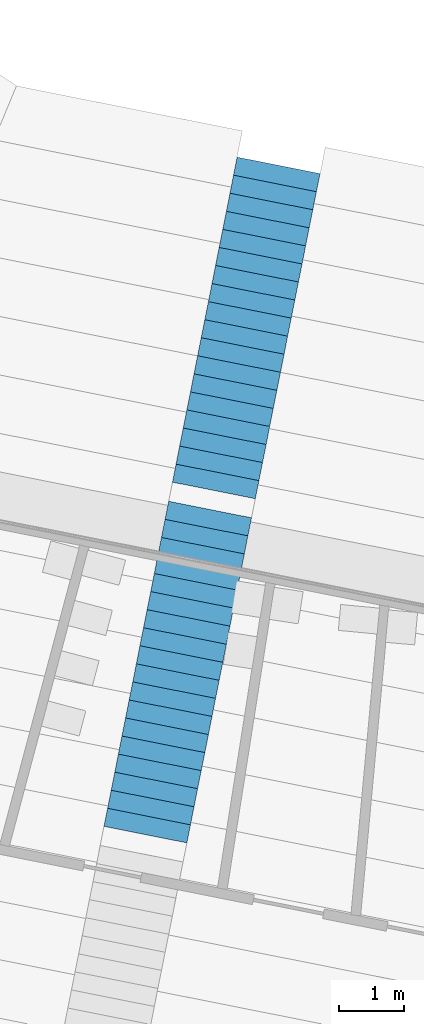
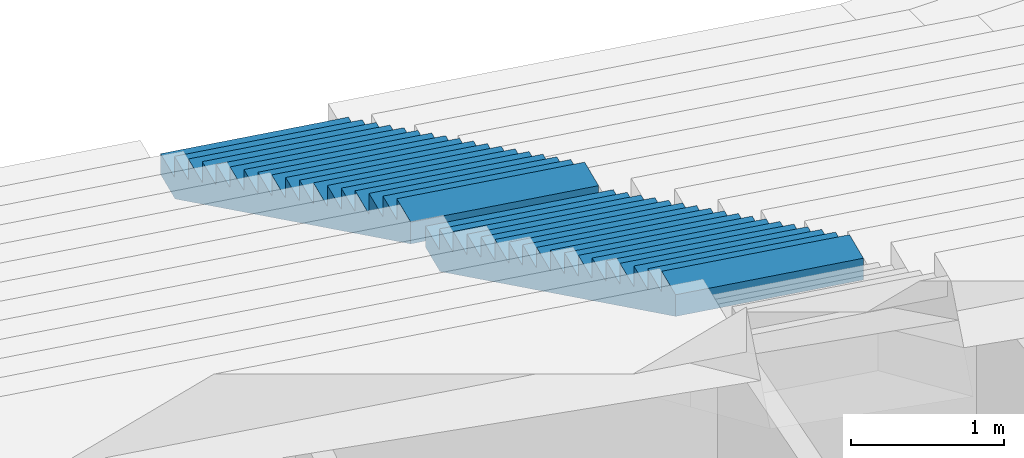
# One storey, part 136 of 249: 2 stair flights, 1 element without a shape of its own.
"""IFC4 building model written with IfcOpenShell, lengths in metres."""

from ifc_helpers import new_model, si_unit, direction, frame, origin, place, context, subcontext, project, spatial, faceted_brep, material, type_object, element, aggregate, save


model = new_model("IFC4")

# Units and contexts
model_context = context("Model", 3, precision=1e-05, world=origin(), true_north=direction((0.0, 1.0)))
body_context = subcontext(model_context, "Body", "Model", "MODEL_VIEW")
ifc_project = project(units=[si_unit("LENGTHUNIT", "METRE"), si_unit("AREAUNIT", "SQUARE_METRE"), si_unit("VOLUMEUNIT", "CUBIC_METRE"), si_unit("PLANEANGLEUNIT", "RADIAN"), si_unit("MASSUNIT", "GRAM", prefix="KILO")], contexts=[model_context])

# Site, building, storey
site_placement = place(None, origin())
site = spatial("IfcSite", under=ifc_project, at=site_placement, CompositionType="ELEMENT")
building_placement = place(site_placement, origin())
building = spatial("IfcBuilding", under=site, at=building_placement, Name="Ogive Plaza Stadium", CompositionType="ELEMENT")
storey_placement = place(building_placement, frame((0.0, 0.0, 13.5)))
storey = spatial("IfcBuildingStorey", under=building, at=storey_placement, Name="L03", CompositionType="ELEMENT", Elevation=13.5)

# Stair, stair flights
ifc_material_1 = material(Name="Concrete C40/50", Category="concrete")
stair_type = type_object("IfcStairType", Name="Aisle stair", PredefinedType="STRAIGHT_RUN_STAIR", material=ifc_material_1)
stair_placement = place(storey_placement, origin())
stair = element("IfcStair", 1, at=stair_placement, inside=storey, type_object=stair_type, Name="Aisle stair SA17U", PredefinedType="STRAIGHT_RUN_STAIR")
ifc_material_2 = material(Name="Concrete C40/50", Category="concrete")
stair_flight_type = type_object("IfcStairFlightType", Name="Aisle stair flight", PredefinedType="STRAIGHT", material=ifc_material_2)
stair_flight_1_placement = place(storey_placement, frame((-38.1943359375, -73.5869140625, 0.5), z_axis=(0.0, 0.0, 1.0), x_axis=(-0.195090322016, -0.980785280403, 0.0)))
stair_flight_1 = element("IfcStairFlight", 2, at=stair_flight_1_placement, type_object=stair_flight_type, Name="SA17U flight 1", NumberOfRisers=18, NumberOfTreads=17, PredefinedType="STRAIGHT", RiserHeight=0.166666667, TreadLength=0.283333333, context=body_context, shape_type="Brep", body=[
    faceted_brep([(0.295654296875, -0.64990234375, 0.0), (5.10009765625, -0.64990234375, 2.826171875), (5.10009765625, -0.64990234375, 3.0), (4.816650390625, -0.64990234375, 3.0), (4.816650390625, -0.64990234375, 2.833251953125), (4.533447265625, -0.64990234375, 2.833251953125), (4.533447265625, -0.64990234375, 2.666748046875), (4.25, -0.64990234375, 2.666748046875), (4.25, -0.64990234375, 2.5), (3.966552734375, -0.64990234375, 2.5), (3.966552734375, -0.64990234375, 2.333251953125), (3.683349609375, -0.64990234375, 2.333251953125), (3.683349609375, -0.64990234375, 2.166748046875), (3.39990234375, -0.64990234375, 2.166748046875), (3.39990234375, -0.64990234375, 2.0), (3.11669921875, -0.64990234375, 2.0), (3.11669921875, -0.64990234375, 1.833251953125), (2.833251953125, -0.64990234375, 1.833251953125), (2.833251953125, -0.64990234375, 1.666748046875), (2.550048828125, -0.64990234375, 1.666748046875), (2.550048828125, -0.64990234375, 1.5), (2.2666015625, -0.64990234375, 1.5), (2.2666015625, -0.64990234375, 1.333251953125), (1.9833984375, -0.64990234375, 1.333251953125), (1.9833984375, -0.64990234375, 1.166748046875), (1.699951171875, -0.64990234375, 1.166748046875), (1.699951171875, -0.64990234375, 1.0), (1.416748046875, -0.64990234375, 1.0), (1.416748046875, -0.64990234375, 0.833251953125), (1.13330078125, -0.64990234375, 0.833251953125), (1.13330078125, -0.64990234375, 0.666748046875), (0.85009765625, -0.64990234375, 0.666748046875), (0.85009765625, -0.64990234375, 0.5), (0.566650390625, -0.64990234375, 0.5), (0.566650390625, -0.64990234375, 0.333251953125), (0.283447265625, -0.64990234375, 0.333251953125), (0.283447265625, -0.64990234375, 0.166748046875), (0.0, -0.64990234375, 0.166748046875), (0.0, -0.64990234375, 0.0), (0.0, 0.64990234375, 0.0), (0.0, 0.64990234375, 0.166748046875), (0.283447265625, 0.64990234375, 0.166748046875), (0.283447265625, 0.64990234375, 0.333251953125), (0.566650390625, 0.64990234375, 0.333251953125), (0.566650390625, 0.64990234375, 0.5), (0.85009765625, 0.64990234375, 0.5), (0.85009765625, 0.64990234375, 0.666748046875), (1.13330078125, 0.64990234375, 0.666748046875), (1.13330078125, 0.64990234375, 0.833251953125), (1.416748046875, 0.64990234375, 0.833251953125), (1.416748046875, 0.64990234375, 1.0), (1.699951171875, 0.64990234375, 1.0), (1.699951171875, 0.64990234375, 1.166748046875), (1.9833984375, 0.64990234375, 1.166748046875), (1.9833984375, 0.64990234375, 1.333251953125), (2.2666015625, 0.64990234375, 1.333251953125), (2.2666015625, 0.64990234375, 1.5), (2.550048828125, 0.64990234375, 1.5), (2.550048828125, 0.64990234375, 1.666748046875), (2.833251953125, 0.64990234375, 1.666748046875), (2.833251953125, 0.64990234375, 1.833251953125), (3.11669921875, 0.64990234375, 1.833251953125), (3.11669921875, 0.64990234375, 2.0), (3.39990234375, 0.64990234375, 2.0), (3.39990234375, 0.64990234375, 2.166748046875), (3.683349609375, 0.64990234375, 2.166748046875), (3.683349609375, 0.64990234375, 2.333251953125), (3.966552734375, 0.64990234375, 2.333251953125), (3.966552734375, 0.64990234375, 2.5), (4.25, 0.64990234375, 2.5), (4.25, 0.64990234375, 2.666748046875), (4.533447265625, 0.64990234375, 2.666748046875), (4.533447265625, 0.64990234375, 2.833251953125), (4.816650390625, 0.64990234375, 2.833251953125), (4.816650390625, 0.64990234375, 3.0), (5.10009765625, 0.64990234375, 3.0), (5.10009765625, 0.64990234375, 2.826171875), (0.295654296875, 0.64990234375, 0.0), (0.295654296875, -0.324951171875, 0.0), (5.10009765625, -0.324951171875, 2.826171875), (0.295654296875, 0.0, 0.0), (5.10009765625, 0.0, 2.826171875), (0.295654296875, 0.324951171875, 0.0), (5.10009765625, 0.324951171875, 2.826171875), (5.10009765625, -0.324951171875, 3.0), (5.10009765625, 0.0, 3.0), (5.10009765625, 0.324951171875, 3.0), (4.816650390625, -0.324951171875, 3.0), (4.816650390625, 0.0, 3.0), (4.816650390625, 0.324951171875, 3.0), (4.816650390625, -0.324951171875, 2.833251953125), (4.816650390625, 0.0, 2.833251953125), (4.816650390625, 0.324951171875, 2.833251953125), (4.533447265625, -0.324951171875, 2.833251953125), (4.533447265625, 0.0, 2.833251953125), (4.533447265625, 0.324951171875, 2.833251953125), (4.533447265625, -0.324951171875, 2.666748046875), (4.533447265625, 0.0, 2.666748046875), (4.533447265625, 0.324951171875, 2.666748046875), (4.25, -0.324951171875, 2.666748046875), (4.25, 0.0, 2.666748046875), (4.25, 0.324951171875, 2.666748046875), (4.25, -0.324951171875, 2.5), (4.25, 0.0, 2.5), (4.25, 0.324951171875, 2.5), (3.966552734375, -0.324951171875, 2.5), (3.966552734375, 0.0, 2.5), (3.966552734375, 0.324951171875, 2.5), (3.966552734375, -0.324951171875, 2.333251953125), (3.966552734375, 0.0, 2.333251953125), (3.966552734375, 0.324951171875, 2.333251953125), (3.683349609375, -0.324951171875, 2.333251953125), (3.683349609375, 0.0, 2.333251953125), (3.683349609375, 0.324951171875, 2.333251953125), (3.683349609375, -0.324951171875, 2.166748046875), (3.683349609375, 0.0, 2.166748046875), (3.683349609375, 0.324951171875, 2.166748046875), (3.39990234375, -0.324951171875, 2.166748046875), (3.39990234375, 0.0, 2.166748046875), (3.39990234375, 0.324951171875, 2.166748046875), (3.39990234375, -0.324951171875, 2.0), (3.39990234375, 0.0, 2.0), (3.39990234375, 0.324951171875, 2.0), (3.11669921875, -0.324951171875, 2.0), (3.11669921875, 0.0, 2.0), (3.11669921875, 0.324951171875, 2.0), (3.11669921875, -0.324951171875, 1.833251953125), (3.11669921875, 0.0, 1.833251953125), (3.11669921875, 0.324951171875, 1.833251953125), (2.833251953125, -0.324951171875, 1.833251953125), (2.833251953125, 0.0, 1.833251953125), (2.833251953125, 0.324951171875, 1.833251953125), (2.833251953125, -0.324951171875, 1.666748046875), (2.833251953125, 0.0, 1.666748046875), (2.833251953125, 0.324951171875, 1.666748046875), (2.550048828125, -0.324951171875, 1.666748046875), (2.550048828125, 0.0, 1.666748046875), (2.550048828125, 0.324951171875, 1.666748046875), (2.550048828125, -0.324951171875, 1.5), (2.550048828125, 0.0, 1.5), (2.550048828125, 0.324951171875, 1.5), (2.2666015625, -0.324951171875, 1.5), (2.2666015625, 0.0, 1.5), (2.2666015625, 0.324951171875, 1.5), (2.2666015625, -0.324951171875, 1.333251953125), (2.2666015625, 0.0, 1.333251953125), (2.2666015625, 0.324951171875, 1.333251953125), (1.9833984375, -0.324951171875, 1.333251953125), (1.9833984375, 0.0, 1.333251953125), (1.9833984375, 0.324951171875, 1.333251953125), (1.9833984375, -0.324951171875, 1.166748046875), (1.9833984375, 0.0, 1.166748046875), (1.9833984375, 0.324951171875, 1.166748046875), (1.699951171875, -0.324951171875, 1.166748046875), (1.699951171875, 0.0, 1.166748046875), (1.699951171875, 0.324951171875, 1.166748046875), (1.699951171875, -0.324951171875, 1.0), (1.699951171875, 0.0, 1.0), (1.699951171875, 0.324951171875, 1.0), (1.416748046875, -0.324951171875, 1.0), (1.416748046875, 0.0, 1.0), (1.416748046875, 0.324951171875, 1.0), (1.416748046875, -0.324951171875, 0.833251953125), (1.416748046875, 0.0, 0.833251953125), (1.416748046875, 0.324951171875, 0.833251953125), (1.13330078125, -0.324951171875, 0.833251953125), (1.13330078125, 0.0, 0.833251953125), (1.13330078125, 0.324951171875, 0.833251953125), (1.13330078125, -0.324951171875, 0.666748046875), (1.13330078125, 0.0, 0.666748046875), (1.13330078125, 0.324951171875, 0.666748046875), (0.85009765625, -0.324951171875, 0.666748046875), (0.85009765625, 0.0, 0.666748046875), (0.85009765625, 0.324951171875, 0.666748046875), (0.85009765625, -0.324951171875, 0.5), (0.85009765625, 0.0, 0.5), (0.85009765625, 0.324951171875, 0.5), (0.566650390625, -0.324951171875, 0.5), (0.566650390625, 0.0, 0.5), (0.566650390625, 0.324951171875, 0.5), (0.566650390625, -0.324951171875, 0.333251953125), (0.566650390625, 0.0, 0.333251953125), (0.566650390625, 0.324951171875, 0.333251953125), (0.283447265625, -0.324951171875, 0.333251953125), (0.283447265625, 0.0, 0.333251953125), (0.283447265625, 0.324951171875, 0.333251953125), (0.283447265625, -0.324951171875, 0.166748046875), (0.283447265625, 0.0, 0.166748046875), (0.283447265625, 0.324951171875, 0.166748046875), (0.0, -0.324951171875, 0.166748046875), (0.0, 0.0, 0.166748046875), (0.0, 0.324951171875, 0.166748046875), (0.0, -0.324951171875, 0.0), (0.0, 0.0, 0.0), (0.0, 0.324951171875, 0.0)], [[[0, 1, 2, 3, 4, 5, 6, 7, 8, 9, 10, 11, 12, 13, 14, 15, 16, 17, 18, 19, 20, 21, 22, 23, 24, 25, 26, 27, 28, 29, 30, 31, 32, 33, 34, 35, 36, 37, 38]], [[39, 40, 41, 42, 43, 44, 45, 46, 47, 48, 49, 50, 51, 52, 53, 54, 55, 56, 57, 58, 59, 60, 61, 62, 63, 64, 65, 66, 67, 68, 69, 70, 71, 72, 73, 74, 75, 76, 77]], [[0, 78, 79, 1]], [[78, 80, 81, 79]], [[80, 82, 83, 81]], [[82, 77, 76, 83]], [[1, 79, 84, 2]], [[79, 81, 85, 84]], [[81, 83, 86, 85]], [[83, 76, 75, 86]], [[2, 84, 87, 3]], [[84, 85, 88, 87]], [[85, 86, 89, 88]], [[86, 75, 74, 89]], [[3, 87, 90, 4]], [[87, 88, 91, 90]], [[88, 89, 92, 91]], [[89, 74, 73, 92]], [[4, 90, 93, 5]], [[90, 91, 94, 93]], [[91, 92, 95, 94]], [[92, 73, 72, 95]], [[5, 93, 96, 6]], [[93, 94, 97, 96]], [[94, 95, 98, 97]], [[95, 72, 71, 98]], [[6, 96, 99, 7]], [[96, 97, 100, 99]], [[97, 98, 101, 100]], [[98, 71, 70, 101]], [[7, 99, 102, 8]], [[99, 100, 103, 102]], [[100, 101, 104, 103]], [[101, 70, 69, 104]], [[8, 102, 105, 9]], [[102, 103, 106, 105]], [[103, 104, 107, 106]], [[104, 69, 68, 107]], [[9, 105, 108, 10]], [[105, 106, 109, 108]], [[106, 107, 110, 109]], [[107, 68, 67, 110]], [[10, 108, 111, 11]], [[108, 109, 112, 111]], [[109, 110, 113, 112]], [[110, 67, 66, 113]], [[11, 111, 114, 12]], [[111, 112, 115, 114]], [[112, 113, 116, 115]], [[113, 66, 65, 116]], [[12, 114, 117, 13]], [[114, 115, 118, 117]], [[115, 116, 119, 118]], [[116, 65, 64, 119]], [[13, 117, 120, 14]], [[117, 118, 121, 120]], [[118, 119, 122, 121]], [[119, 64, 63, 122]], [[14, 120, 123, 15]], [[120, 121, 124, 123]], [[121, 122, 125, 124]], [[122, 63, 62, 125]], [[15, 123, 126, 16]], [[123, 124, 127, 126]], [[124, 125, 128, 127]], [[125, 62, 61, 128]], [[16, 126, 129, 17]], [[126, 127, 130, 129]], [[127, 128, 131, 130]], [[128, 61, 60, 131]], [[17, 129, 132, 18]], [[129, 130, 133, 132]], [[130, 131, 134, 133]], [[131, 60, 59, 134]], [[18, 132, 135, 19]], [[132, 133, 136, 135]], [[133, 134, 137, 136]], [[134, 59, 58, 137]], [[19, 135, 138, 20]], [[135, 136, 139, 138]], [[136, 137, 140, 139]], [[137, 58, 57, 140]], [[20, 138, 141, 21]], [[138, 139, 142, 141]], [[139, 140, 143, 142]], [[140, 57, 56, 143]], [[21, 141, 144, 22]], [[141, 142, 145, 144]], [[142, 143, 146, 145]], [[143, 56, 55, 146]], [[22, 144, 147, 23]], [[144, 145, 148, 147]], [[145, 146, 149, 148]], [[146, 55, 54, 149]], [[23, 147, 150, 24]], [[147, 148, 151, 150]], [[148, 149, 152, 151]], [[149, 54, 53, 152]], [[24, 150, 153, 25]], [[150, 151, 154, 153]], [[151, 152, 155, 154]], [[152, 53, 52, 155]], [[25, 153, 156, 26]], [[153, 154, 157, 156]], [[154, 155, 158, 157]], [[155, 52, 51, 158]], [[26, 156, 159, 27]], [[156, 157, 160, 159]], [[157, 158, 161, 160]], [[158, 51, 50, 161]], [[27, 159, 162, 28]], [[159, 160, 163, 162]], [[160, 161, 164, 163]], [[161, 50, 49, 164]], [[28, 162, 165, 29]], [[162, 163, 166, 165]], [[163, 164, 167, 166]], [[164, 49, 48, 167]], [[29, 165, 168, 30]], [[165, 166, 169, 168]], [[166, 167, 170, 169]], [[167, 48, 47, 170]], [[30, 168, 171, 31]], [[168, 169, 172, 171]], [[169, 170, 173, 172]], [[170, 47, 46, 173]], [[31, 171, 174, 32]], [[171, 172, 175, 174]], [[172, 173, 176, 175]], [[173, 46, 45, 176]], [[32, 174, 177, 33]], [[174, 175, 178, 177]], [[175, 176, 179, 178]], [[176, 45, 44, 179]], [[33, 177, 180, 34]], [[177, 178, 181, 180]], [[178, 179, 182, 181]], [[179, 44, 43, 182]], [[34, 180, 183, 35]], [[180, 181, 184, 183]], [[181, 182, 185, 184]], [[182, 43, 42, 185]], [[35, 183, 186, 36]], [[183, 184, 187, 186]], [[184, 185, 188, 187]], [[185, 42, 41, 188]], [[36, 186, 189, 37]], [[186, 187, 190, 189]], [[187, 188, 191, 190]], [[188, 41, 40, 191]], [[37, 189, 192, 38]], [[189, 190, 193, 192]], [[190, 191, 194, 193]], [[191, 40, 39, 194]], [[38, 192, 78, 0]], [[192, 193, 80, 78]], [[193, 194, 82, 80]], [[194, 39, 77, 82]]]),
])
stair_flight_2_placement = place(storey_placement, frame((-39.248046875, -78.883056640625, 3.5), z_axis=(0.0, 0.0, 1.0), x_axis=(-0.195090322016, -0.980785280403, 0.0)))
stair_flight_2 = element("IfcStairFlight", 3, at=stair_flight_2_placement, type_object=stair_flight_type, Name="SA17U flight 2", NumberOfRisers=18, NumberOfTreads=17, PredefinedType="STRAIGHT", RiserHeight=0.166666667, TreadLength=0.283333333, context=body_context, shape_type="Brep", body=[
    faceted_brep([(0.295654296875, -0.64990234375, 0.0), (5.10009765625, -0.64990234375, 2.826171875), (5.10009765625, -0.64990234375, 3.0), (4.816650390625, -0.64990234375, 3.0), (4.816650390625, -0.64990234375, 2.833251953125), (4.533447265625, -0.64990234375, 2.833251953125), (4.533447265625, -0.64990234375, 2.666748046875), (4.25, -0.64990234375, 2.666748046875), (4.25, -0.64990234375, 2.5), (3.966552734375, -0.64990234375, 2.5), (3.966552734375, -0.64990234375, 2.333251953125), (3.683349609375, -0.64990234375, 2.333251953125), (3.683349609375, -0.64990234375, 2.166748046875), (3.39990234375, -0.64990234375, 2.166748046875), (3.39990234375, -0.64990234375, 2.0), (3.11669921875, -0.64990234375, 2.0), (3.11669921875, -0.64990234375, 1.833251953125), (2.833251953125, -0.64990234375, 1.833251953125), (2.833251953125, -0.64990234375, 1.666748046875), (2.550048828125, -0.64990234375, 1.666748046875), (2.550048828125, -0.64990234375, 1.5), (2.2666015625, -0.64990234375, 1.5), (2.2666015625, -0.64990234375, 1.333251953125), (1.9833984375, -0.64990234375, 1.333251953125), (1.9833984375, -0.64990234375, 1.166748046875), (1.699951171875, -0.64990234375, 1.166748046875), (1.699951171875, -0.64990234375, 1.0), (1.416748046875, -0.64990234375, 1.0), (1.416748046875, -0.64990234375, 0.833251953125), (1.13330078125, -0.64990234375, 0.833251953125), (1.13330078125, -0.64990234375, 0.666748046875), (0.85009765625, -0.64990234375, 0.666748046875), (0.85009765625, -0.64990234375, 0.5), (0.566650390625, -0.64990234375, 0.5), (0.566650390625, -0.64990234375, 0.333251953125), (0.283447265625, -0.64990234375, 0.333251953125), (0.283447265625, -0.64990234375, 0.166748046875), (0.0, -0.64990234375, 0.166748046875), (0.0, -0.64990234375, 0.0), (0.0, 0.64990234375, 0.0), (0.0, 0.64990234375, 0.166748046875), (0.283447265625, 0.64990234375, 0.166748046875), (0.283447265625, 0.64990234375, 0.333251953125), (0.566650390625, 0.64990234375, 0.333251953125), (0.566650390625, 0.64990234375, 0.5), (0.85009765625, 0.64990234375, 0.5), (0.85009765625, 0.64990234375, 0.666748046875), (1.13330078125, 0.64990234375, 0.666748046875), (1.13330078125, 0.64990234375, 0.833251953125), (1.416748046875, 0.64990234375, 0.833251953125), (1.416748046875, 0.64990234375, 1.0), (1.699951171875, 0.64990234375, 1.0), (1.699951171875, 0.64990234375, 1.166748046875), (1.9833984375, 0.64990234375, 1.166748046875), (1.9833984375, 0.64990234375, 1.333251953125), (2.2666015625, 0.64990234375, 1.333251953125), (2.2666015625, 0.64990234375, 1.5), (2.550048828125, 0.64990234375, 1.5), (2.550048828125, 0.64990234375, 1.666748046875), (2.833251953125, 0.64990234375, 1.666748046875), (2.833251953125, 0.64990234375, 1.833251953125), (3.11669921875, 0.64990234375, 1.833251953125), (3.11669921875, 0.64990234375, 2.0), (3.39990234375, 0.64990234375, 2.0), (3.39990234375, 0.64990234375, 2.166748046875), (3.683349609375, 0.64990234375, 2.166748046875), (3.683349609375, 0.64990234375, 2.333251953125), (3.966552734375, 0.64990234375, 2.333251953125), (3.966552734375, 0.64990234375, 2.5), (4.25, 0.64990234375, 2.5), (4.25, 0.64990234375, 2.666748046875), (4.533447265625, 0.64990234375, 2.666748046875), (4.533447265625, 0.64990234375, 2.833251953125), (4.816650390625, 0.64990234375, 2.833251953125), (4.816650390625, 0.64990234375, 3.0), (5.10009765625, 0.64990234375, 3.0), (5.10009765625, 0.64990234375, 2.826171875), (0.295654296875, 0.64990234375, 0.0), (0.295654296875, -0.324951171875, 0.0), (5.10009765625, -0.324951171875, 2.826171875), (0.295654296875, 0.0, 0.0), (5.10009765625, 0.0, 2.826171875), (0.295654296875, 0.324951171875, 0.0), (5.10009765625, 0.324951171875, 2.826171875), (5.10009765625, -0.324951171875, 3.0), (5.10009765625, 0.0, 3.0), (5.10009765625, 0.324951171875, 3.0), (4.816650390625, -0.324951171875, 3.0), (4.816650390625, 0.0, 3.0), (4.816650390625, 0.324951171875, 3.0), (4.816650390625, -0.324951171875, 2.833251953125), (4.816650390625, 0.0, 2.833251953125), (4.816650390625, 0.324951171875, 2.833251953125), (4.533447265625, -0.324951171875, 2.833251953125), (4.533447265625, 0.0, 2.833251953125), (4.533447265625, 0.324951171875, 2.833251953125), (4.533447265625, -0.324951171875, 2.666748046875), (4.533447265625, 0.0, 2.666748046875), (4.533447265625, 0.324951171875, 2.666748046875), (4.25, -0.324951171875, 2.666748046875), (4.25, 0.0, 2.666748046875), (4.25, 0.324951171875, 2.666748046875), (4.25, -0.324951171875, 2.5), (4.25, 0.0, 2.5), (4.25, 0.324951171875, 2.5), (3.966552734375, -0.324951171875, 2.5), (3.966552734375, 0.0, 2.5), (3.966552734375, 0.324951171875, 2.5), (3.966552734375, -0.324951171875, 2.333251953125), (3.966552734375, 0.0, 2.333251953125), (3.966552734375, 0.324951171875, 2.333251953125), (3.683349609375, -0.324951171875, 2.333251953125), (3.683349609375, 0.0, 2.333251953125), (3.683349609375, 0.324951171875, 2.333251953125), (3.683349609375, -0.324951171875, 2.166748046875), (3.683349609375, 0.0, 2.166748046875), (3.683349609375, 0.324951171875, 2.166748046875), (3.39990234375, -0.324951171875, 2.166748046875), (3.39990234375, 0.0, 2.166748046875), (3.39990234375, 0.324951171875, 2.166748046875), (3.39990234375, -0.324951171875, 2.0), (3.39990234375, 0.0, 2.0), (3.39990234375, 0.324951171875, 2.0), (3.11669921875, -0.324951171875, 2.0), (3.11669921875, 0.0, 2.0), (3.11669921875, 0.324951171875, 2.0), (3.11669921875, -0.324951171875, 1.833251953125), (3.11669921875, 0.0, 1.833251953125), (3.11669921875, 0.324951171875, 1.833251953125), (2.833251953125, -0.324951171875, 1.833251953125), (2.833251953125, 0.0, 1.833251953125), (2.833251953125, 0.324951171875, 1.833251953125), (2.833251953125, -0.324951171875, 1.666748046875), (2.833251953125, 0.0, 1.666748046875), (2.833251953125, 0.324951171875, 1.666748046875), (2.550048828125, -0.324951171875, 1.666748046875), (2.550048828125, 0.0, 1.666748046875), (2.550048828125, 0.324951171875, 1.666748046875), (2.550048828125, -0.324951171875, 1.5), (2.550048828125, 0.0, 1.5), (2.550048828125, 0.324951171875, 1.5), (2.2666015625, -0.324951171875, 1.5), (2.2666015625, 0.0, 1.5), (2.2666015625, 0.324951171875, 1.5), (2.2666015625, -0.324951171875, 1.333251953125), (2.2666015625, 0.0, 1.333251953125), (2.2666015625, 0.324951171875, 1.333251953125), (1.9833984375, -0.324951171875, 1.333251953125), (1.9833984375, 0.0, 1.333251953125), (1.9833984375, 0.324951171875, 1.333251953125), (1.9833984375, -0.324951171875, 1.166748046875), (1.9833984375, 0.0, 1.166748046875), (1.9833984375, 0.324951171875, 1.166748046875), (1.699951171875, -0.324951171875, 1.166748046875), (1.699951171875, 0.0, 1.166748046875), (1.699951171875, 0.324951171875, 1.166748046875), (1.699951171875, -0.324951171875, 1.0), (1.699951171875, 0.0, 1.0), (1.699951171875, 0.324951171875, 1.0), (1.416748046875, -0.324951171875, 1.0), (1.416748046875, 0.0, 1.0), (1.416748046875, 0.324951171875, 1.0), (1.416748046875, -0.324951171875, 0.833251953125), (1.416748046875, 0.0, 0.833251953125), (1.416748046875, 0.324951171875, 0.833251953125), (1.13330078125, -0.324951171875, 0.833251953125), (1.13330078125, 0.0, 0.833251953125), (1.13330078125, 0.324951171875, 0.833251953125), (1.13330078125, -0.324951171875, 0.666748046875), (1.13330078125, 0.0, 0.666748046875), (1.13330078125, 0.324951171875, 0.666748046875), (0.85009765625, -0.324951171875, 0.666748046875), (0.85009765625, 0.0, 0.666748046875), (0.85009765625, 0.324951171875, 0.666748046875), (0.85009765625, -0.324951171875, 0.5), (0.85009765625, 0.0, 0.5), (0.85009765625, 0.324951171875, 0.5), (0.566650390625, -0.324951171875, 0.5), (0.566650390625, 0.0, 0.5), (0.566650390625, 0.324951171875, 0.5), (0.566650390625, -0.324951171875, 0.333251953125), (0.566650390625, 0.0, 0.333251953125), (0.566650390625, 0.324951171875, 0.333251953125), (0.283447265625, -0.324951171875, 0.333251953125), (0.283447265625, 0.0, 0.333251953125), (0.283447265625, 0.324951171875, 0.333251953125), (0.283447265625, -0.324951171875, 0.166748046875), (0.283447265625, 0.0, 0.166748046875), (0.283447265625, 0.324951171875, 0.166748046875), (0.0, -0.324951171875, 0.166748046875), (0.0, 0.0, 0.166748046875), (0.0, 0.324951171875, 0.166748046875), (0.0, -0.324951171875, 0.0), (0.0, 0.0, 0.0), (0.0, 0.324951171875, 0.0)], [[[0, 1, 2, 3, 4, 5, 6, 7, 8, 9, 10, 11, 12, 13, 14, 15, 16, 17, 18, 19, 20, 21, 22, 23, 24, 25, 26, 27, 28, 29, 30, 31, 32, 33, 34, 35, 36, 37, 38]], [[39, 40, 41, 42, 43, 44, 45, 46, 47, 48, 49, 50, 51, 52, 53, 54, 55, 56, 57, 58, 59, 60, 61, 62, 63, 64, 65, 66, 67, 68, 69, 70, 71, 72, 73, 74, 75, 76, 77]], [[0, 78, 79, 1]], [[78, 80, 81, 79]], [[80, 82, 83, 81]], [[82, 77, 76, 83]], [[1, 79, 84, 2]], [[79, 81, 85, 84]], [[81, 83, 86, 85]], [[83, 76, 75, 86]], [[2, 84, 87, 3]], [[84, 85, 88, 87]], [[85, 86, 89, 88]], [[86, 75, 74, 89]], [[3, 87, 90, 4]], [[87, 88, 91, 90]], [[88, 89, 92, 91]], [[89, 74, 73, 92]], [[4, 90, 93, 5]], [[90, 91, 94, 93]], [[91, 92, 95, 94]], [[92, 73, 72, 95]], [[5, 93, 96, 6]], [[93, 94, 97, 96]], [[94, 95, 98, 97]], [[95, 72, 71, 98]], [[6, 96, 99, 7]], [[96, 97, 100, 99]], [[97, 98, 101, 100]], [[98, 71, 70, 101]], [[7, 99, 102, 8]], [[99, 100, 103, 102]], [[100, 101, 104, 103]], [[101, 70, 69, 104]], [[8, 102, 105, 9]], [[102, 103, 106, 105]], [[103, 104, 107, 106]], [[104, 69, 68, 107]], [[9, 105, 108, 10]], [[105, 106, 109, 108]], [[106, 107, 110, 109]], [[107, 68, 67, 110]], [[10, 108, 111, 11]], [[108, 109, 112, 111]], [[109, 110, 113, 112]], [[110, 67, 66, 113]], [[11, 111, 114, 12]], [[111, 112, 115, 114]], [[112, 113, 116, 115]], [[113, 66, 65, 116]], [[12, 114, 117, 13]], [[114, 115, 118, 117]], [[115, 116, 119, 118]], [[116, 65, 64, 119]], [[13, 117, 120, 14]], [[117, 118, 121, 120]], [[118, 119, 122, 121]], [[119, 64, 63, 122]], [[14, 120, 123, 15]], [[120, 121, 124, 123]], [[121, 122, 125, 124]], [[122, 63, 62, 125]], [[15, 123, 126, 16]], [[123, 124, 127, 126]], [[124, 125, 128, 127]], [[125, 62, 61, 128]], [[16, 126, 129, 17]], [[126, 127, 130, 129]], [[127, 128, 131, 130]], [[128, 61, 60, 131]], [[17, 129, 132, 18]], [[129, 130, 133, 132]], [[130, 131, 134, 133]], [[131, 60, 59, 134]], [[18, 132, 135, 19]], [[132, 133, 136, 135]], [[133, 134, 137, 136]], [[134, 59, 58, 137]], [[19, 135, 138, 20]], [[135, 136, 139, 138]], [[136, 137, 140, 139]], [[137, 58, 57, 140]], [[20, 138, 141, 21]], [[138, 139, 142, 141]], [[139, 140, 143, 142]], [[140, 57, 56, 143]], [[21, 141, 144, 22]], [[141, 142, 145, 144]], [[142, 143, 146, 145]], [[143, 56, 55, 146]], [[22, 144, 147, 23]], [[144, 145, 148, 147]], [[145, 146, 149, 148]], [[146, 55, 54, 149]], [[23, 147, 150, 24]], [[147, 148, 151, 150]], [[148, 149, 152, 151]], [[149, 54, 53, 152]], [[24, 150, 153, 25]], [[150, 151, 154, 153]], [[151, 152, 155, 154]], [[152, 53, 52, 155]], [[25, 153, 156, 26]], [[153, 154, 157, 156]], [[154, 155, 158, 157]], [[155, 52, 51, 158]], [[26, 156, 159, 27]], [[156, 157, 160, 159]], [[157, 158, 161, 160]], [[158, 51, 50, 161]], [[27, 159, 162, 28]], [[159, 160, 163, 162]], [[160, 161, 164, 163]], [[161, 50, 49, 164]], [[28, 162, 165, 29]], [[162, 163, 166, 165]], [[163, 164, 167, 166]], [[164, 49, 48, 167]], [[29, 165, 168, 30]], [[165, 166, 169, 168]], [[166, 167, 170, 169]], [[167, 48, 47, 170]], [[30, 168, 171, 31]], [[168, 169, 172, 171]], [[169, 170, 173, 172]], [[170, 47, 46, 173]], [[31, 171, 174, 32]], [[171, 172, 175, 174]], [[172, 173, 176, 175]], [[173, 46, 45, 176]], [[32, 174, 177, 33]], [[174, 175, 178, 177]], [[175, 176, 179, 178]], [[176, 45, 44, 179]], [[33, 177, 180, 34]], [[177, 178, 181, 180]], [[178, 179, 182, 181]], [[179, 44, 43, 182]], [[34, 180, 183, 35]], [[180, 181, 184, 183]], [[181, 182, 185, 184]], [[182, 43, 42, 185]], [[35, 183, 186, 36]], [[183, 184, 187, 186]], [[184, 185, 188, 187]], [[185, 42, 41, 188]], [[36, 186, 189, 37]], [[186, 187, 190, 189]], [[187, 188, 191, 190]], [[188, 41, 40, 191]], [[37, 189, 192, 38]], [[189, 190, 193, 192]], [[190, 191, 194, 193]], [[191, 40, 39, 194]], [[38, 192, 78, 0]], [[192, 193, 80, 78]], [[193, 194, 82, 80]], [[194, 39, 77, 82]]]),
])
aggregate(stair, [stair_flight_1, stair_flight_2])

save(model, "model.ifc")
